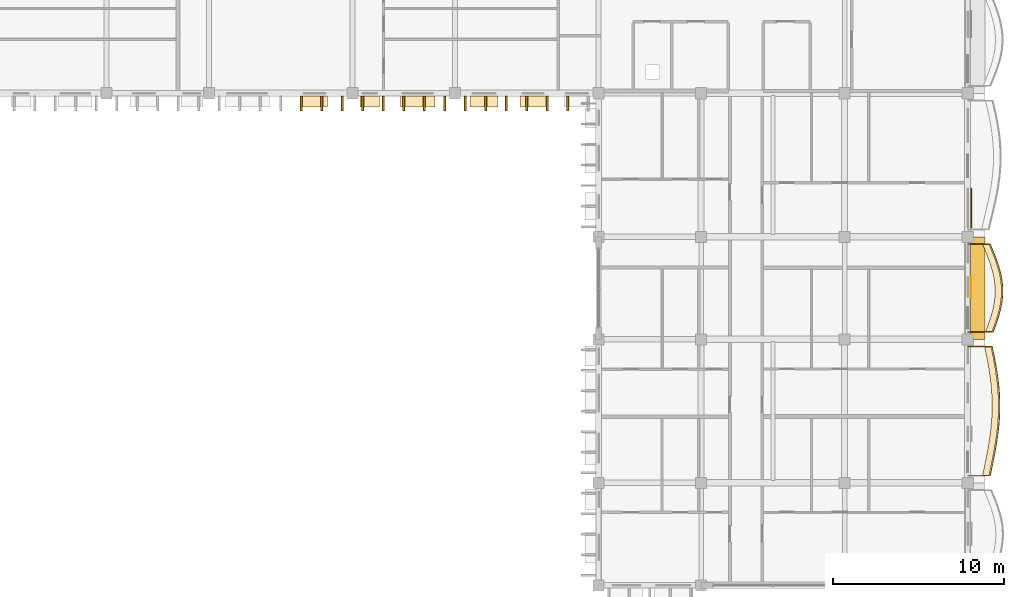
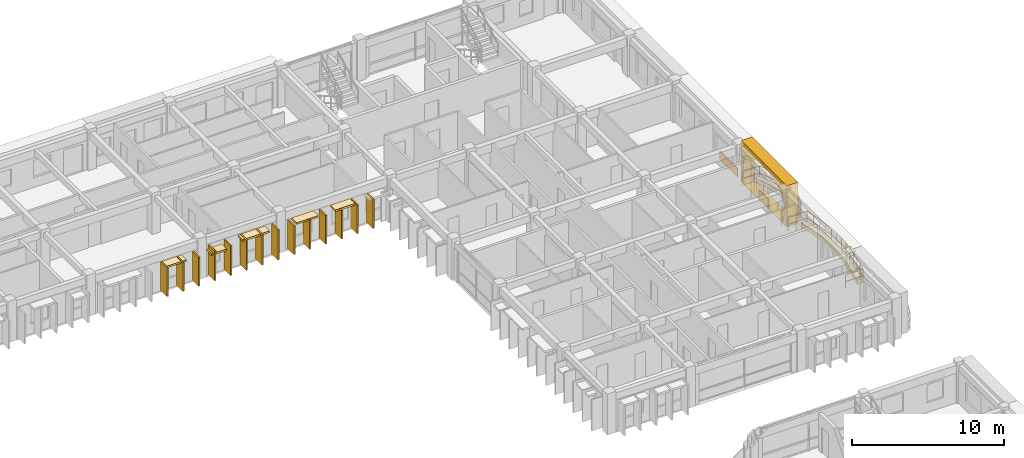
# One storey, part 75 of 79: 24 coverings, 2 railings.
"""IFC4 building model written with IfcOpenShell, lengths in metres."""

from ifc_helpers import new_model, si_unit, direction, frame, origin, origin_2d, place, context, subcontext, project, spatial, polyline, rectangle, outline, extrude, material, layer, layer_set, type_object, element, save


model = new_model("IFC4")

# Units and contexts
model_context = context("Model", 3, precision=1e-05, world=origin(), true_north=direction((0.0, 1.0)))
body_context = subcontext(model_context, "Body", "Model", "MODEL_VIEW")
ifc_project = project(units=[si_unit("LENGTHUNIT", "METRE"), si_unit("AREAUNIT", "SQUARE_METRE"), si_unit("VOLUMEUNIT", "CUBIC_METRE"), si_unit("PLANEANGLEUNIT", "RADIAN"), si_unit("MASSUNIT", "GRAM", prefix="KILO"), si_unit("THERMODYNAMICTEMPERATUREUNIT", "KELVIN")], contexts=[model_context])

# Site, building, storey
site_placement = place(None, origin())
site = spatial("IfcSite", under=ifc_project, at=site_placement, CompositionType="ELEMENT")
building_placement = place(site_placement, origin())
building = spatial("IfcBuilding", under=site, at=building_placement, Name="Thalorik Housing Commons", CompositionType="ELEMENT")
storey_placement = place(building_placement, frame((0.0, 0.0, 11.39990234375)))
storey = spatial("IfcBuildingStorey", under=building, at=storey_placement, Name="L03", CompositionType="ELEMENT", Elevation=11.39990234375)

# Coverings
ifc_material_1 = material(Name="Cobalt blue glazed ceramic facade tile panel", Category="masonry")
ifc_layer_1 = layer(ifc_material_1, 0.06005859375, Name="Cobalt blue glazed ceramic facade tile panel", Category="masonry")
ifc_layer_set_1 = layer_set([ifc_layer_1], Name="Cobalt blue glazed ceramic facade tile panel")
covering_type_1 = type_object("IfcCoveringType", Name="ARC-CLD-BLU-60", PredefinedType="CLADDING", material=ifc_layer_set_1)
covering_1_placement = place(storey_placement, frame((174.195068359375, 102.4765625, 0.05029296875), z_axis=(0.0, 0.0, 1.0), x_axis=(0.0, 1.0, 0.0)))
element("IfcCovering", 1, at=covering_1_placement, inside=storey, type_object=covering_type_1, Name="L03 De Stijl Recessed Window Spandrel 2007", PredefinedType="CLADDING", context=body_context, shape_type="SweptSolid", body=[
    extrude(rectangle(XDim=2.320068359375, YDim=0.06005859375, at=origin_2d()), origin(), (0.0, 0.0, 1.0), 0.699951171875),
])
ifc_material_2 = material(Name="Precast concrete C40/50", Category="concrete")
ifc_layer_2 = layer(ifc_material_2, 0.85009765625, Name="Precast concrete C40/50", Category="concrete")
ifc_layer_set_2 = layer_set([ifc_layer_2], Name="Precast concrete C40/50")
covering_type_2 = type_object("IfcCoveringType", Name="ARC-CLD-CUSH-850", PredefinedType="CLADDING", material=ifc_layer_set_2)
covering_2_placement = place(storey_placement, frame((174.5849609375, 97.800048828125, 0.0), z_axis=(0.0, 0.0, 1.0), x_axis=(0.0, 1.0, 0.0)))
element("IfcCovering", 2, at=covering_2_placement, inside=storey, type_object=covering_type_2, Name="L03 White Precast Curved Cushion Bay Frame 2004", PredefinedType="CLADDING", context=body_context, shape_type="SweptSolid", body=[
    extrude(outline(polyline([(-3.0, 0.0), (3.0, 0.0), (3.0, 3.300048828125), (-3.0, 3.300048828125), (-3.0, 0.0)]), holes=[polyline([(2.580078125, 0.02490234375), (2.668701171875, 0.407470703125), (2.721923828125, 0.7900390625), (2.739501953125, 1.172607421875), (2.721923828125, 1.554931640625), (2.668701171875, 1.9375), (2.580078125, 2.320068359375), (2.16259765625, 2.539306640625), (1.7451171875, 2.711181640625), (1.327392578125, 2.8505859375), (0.909912109375, 2.954345703125), (0.492431640625, 3.018310546875), (0.074951171875, 3.0400390625), (-0.342529296875, 3.018310546875), (-0.760009765625, 2.954345703125), (-1.177490234375, 2.8505859375), (-1.594970703125, 2.711181640625), (-2.012451171875, 2.539306640625), (-2.429931640625, 2.320068359375), (-2.55029296875, 1.9375), (-2.62255859375, 1.554931640625), (-2.646484375, 1.172607421875), (-2.62255859375, 0.7900390625), (-2.55029296875, 0.407470703125), (-2.429931640625, 0.02490234375), (2.580078125, 0.02490234375)])]), frame((0.0, 0.425048828125, 0.0), z_axis=(0.0, -1.0, 0.0), x_axis=(1.0, 0.0, 0.0)), (0.0, 0.0, 1.0), 0.85009765625),
])
ifc_layer_3 = layer(ifc_material_2, 0.85009765625, Name="Precast concrete C40/50", Category="concrete")
ifc_layer_set_3 = layer_set([ifc_layer_3], Name="Precast concrete C40/50")
covering_type_3 = type_object("IfcCoveringType", Name="ARC-CLD-FIN-850", PredefinedType="CLADDING", material=ifc_layer_set_3)
for number, where, z_axis, x_axis, name in (
    (3, (135.0, 108.614990234375, 0.0400390625), (0.0, 0.0, 1.0), (1.0, 0.0, 0.0), "L03 Courtyard Precast Vertical Brise-Soleil Fin 1936"),
    (4, (136.199951171875, 108.614990234375, 0.0400390625), (0.0, 0.0, 1.0), (1.0, 0.0, 0.0), "L03 Courtyard Precast Vertical Brise-Soleil Fin 1937"),
    (5, (137.39990234375, 108.614990234375, 0.0400390625), (0.0, 0.0, 1.0), (1.0, 0.0, 0.0), "L03 Courtyard Precast Vertical Brise-Soleil Fin 1938"),
):
    element("IfcCovering", number, at=place(storey_placement, frame(where, z_axis=z_axis, x_axis=x_axis)), inside=storey, type_object=covering_type_3, Name=name, PredefinedType="CLADDING", context=body_context, shape_type="SweptSolid", body=[
        extrude(rectangle(XDim=0.110107421875, YDim=0.85009765625, at=origin_2d()), origin(), (0.0, 0.0, 1.0), 2.294921875),
    ])
for number, where, z_axis, x_axis, name in (
    (6, (138.60009765625, 108.614990234375, 0.0400390625), (0.0, 0.0, 1.0), (1.0, 0.0, 0.0), "L03 Courtyard Precast Vertical Brise-Soleil Fin 1941"),
    (7, (139.800048828125, 108.614990234375, 0.0400390625), (0.0, 0.0, 1.0), (1.0, 0.0, 0.0), "L03 Courtyard Precast Vertical Brise-Soleil Fin 1942"),
    (8, (141.0, 108.614990234375, 0.0400390625), (0.0, 0.0, 1.0), (1.0, 0.0, 0.0), "L03 Courtyard Precast Vertical Brise-Soleil Fin 1943"),
    (9, (142.199951171875, 108.614990234375, 0.0400390625), (0.0, 0.0, 1.0), (1.0, 0.0, 0.0), "L03 Courtyard Precast Vertical Brise-Soleil Fin 1944"),
    (10, (143.39990234375, 108.614990234375, 0.0400390625), (0.0, 0.0, 1.0), (1.0, 0.0, 0.0), "L03 Courtyard Precast Vertical Brise-Soleil Fin 1945"),
):
    element("IfcCovering", number, at=place(storey_placement, frame(where, z_axis=z_axis, x_axis=x_axis)), inside=storey, type_object=covering_type_3, Name=name, PredefinedType="CLADDING", context=body_context, shape_type="SweptSolid", body=[
        extrude(rectangle(XDim=0.110107421875, YDim=0.85009765625, at=origin_2d()), origin(), (0.0, 0.0, 1.0), 2.39501953125),
    ])
for number, where, z_axis, x_axis, name in (
    (11, (144.60009765625, 108.614990234375, 0.0400390625), (0.0, 0.0, 1.0), (1.0, 0.0, 0.0), "L03 Courtyard Precast Vertical Brise-Soleil Fin 1948"),
    (12, (145.800048828125, 108.614990234375, 0.0400390625), (0.0, 0.0, 1.0), (1.0, 0.0, 0.0), "L03 Courtyard Precast Vertical Brise-Soleil Fin 1949"),
    (13, (147.0, 108.614990234375, 0.0400390625), (0.0, 0.0, 1.0), (1.0, 0.0, 0.0), "L03 Courtyard Precast Vertical Brise-Soleil Fin 1950"),
    (14, (148.199951171875, 108.614990234375, 0.0400390625), (0.0, 0.0, 1.0), (1.0, 0.0, 0.0), "L03 Courtyard Precast Vertical Brise-Soleil Fin 1951"),
    (15, (149.39990234375, 108.614990234375, 0.0400390625), (0.0, 0.0, 1.0), (1.0, 0.0, 0.0), "L03 Courtyard Precast Vertical Brise-Soleil Fin 1952"),
    (16, (150.60009765625, 108.614990234375, 0.0400390625), (0.0, 0.0, 1.0), (1.0, 0.0, 0.0), "L03 Courtyard Precast Vertical Brise-Soleil Fin 1953"),
):
    element("IfcCovering", number, at=place(storey_placement, frame(where, z_axis=z_axis, x_axis=x_axis)), inside=storey, type_object=covering_type_3, Name=name, PredefinedType="CLADDING", context=body_context, shape_type="SweptSolid", body=[
        extrude(rectangle(XDim=0.110107421875, YDim=0.85009765625, at=origin_2d()), origin(), (0.0, 0.0, 1.0), 2.294921875),
    ])
ifc_layer_4 = layer(ifc_material_2, 0.64990234375, Name="Precast concrete C40/50", Category="concrete")
ifc_layer_set_4 = layer_set([ifc_layer_4], Name="Precast concrete C40/50")
covering_type_4 = type_object("IfcCoveringType", Name="ARC-CLD-HOOD-650", PredefinedType="CLADDING", material=ifc_layer_set_4)
covering_3_placement = place(storey_placement, frame((135.77001953125, 108.715087890625, 2.18994140625), z_axis=(0.0, 0.0, 1.0), x_axis=(1.0, 0.0, 0.0)))
element("IfcCovering", 17, at=covering_3_placement, inside=storey, type_object=covering_type_4, Name="L03 Courtyard Precast Window Sun-Hood 1940", PredefinedType="CLADDING", context=body_context, shape_type="SweptSolid", body=[
    extrude(rectangle(XDim=1.5400390625, YDim=0.64990234375, at=origin_2d()), origin(), (0.0, 0.0, 1.0), 0.139892578125),
])
covering_4_placement = place(storey_placement, frame((139.00244140625, 108.715087890625, 1.990234375), z_axis=(0.0, 0.0, 1.0), x_axis=(1.0, 0.0, 0.0)))
element("IfcCovering", 18, at=covering_4_placement, inside=storey, type_object=covering_type_4, Name="L03 Courtyard Precast Window Sun-Hood 1946", PredefinedType="CLADDING", context=body_context, shape_type="SweptSolid", body=[
    extrude(rectangle(XDim=1.139892578125, YDim=0.64990234375, at=origin_2d()), origin(), (0.0, 0.0, 1.0), 0.139892578125),
])
covering_5_placement = place(storey_placement, frame((141.8125, 108.715087890625, 2.2900390625), z_axis=(0.0, 0.0, 1.0), x_axis=(1.0, 0.0, 0.0)))
element("IfcCovering", 19, at=covering_5_placement, inside=storey, type_object=covering_type_4, Name="L03 Courtyard Precast Window Sun-Hood 1947", PredefinedType="CLADDING", context=body_context, shape_type="SweptSolid", body=[
    extrude(rectangle(XDim=2.0400390625, YDim=0.64990234375, at=origin_2d()), origin(), (0.0, 0.0, 1.0), 0.139892578125),
])
covering_6_placement = place(storey_placement, frame((145.68994140625, 108.715087890625, 2.22509765625), z_axis=(0.0, 0.0, 1.0), x_axis=(1.0, 0.0, 0.0)))
element("IfcCovering", 20, at=covering_6_placement, inside=storey, type_object=covering_type_4, Name="L03 Courtyard Precast Window Sun-Hood 1955", PredefinedType="CLADDING", context=body_context, shape_type="SweptSolid", body=[
    extrude(rectangle(XDim=1.639892578125, YDim=0.64990234375, at=origin_2d()), origin(), (0.0, 0.0, 1.0), 0.139892578125),
])
covering_7_placement = place(storey_placement, frame((148.550048828125, 108.715087890625, 2.22509765625), z_axis=(0.0, 0.0, 1.0), x_axis=(1.0, 0.0, 0.0)))
element("IfcCovering", 21, at=covering_7_placement, inside=storey, type_object=covering_type_4, Name="L03 Courtyard Precast Window Sun-Hood 1956", PredefinedType="CLADDING", context=body_context, shape_type="SweptSolid", body=[
    extrude(rectangle(XDim=1.489990234375, YDim=0.64990234375, at=origin_2d()), origin(), (0.0, 0.0, 1.0), 0.139892578125),
])
ifc_material_3 = material(Name="Terracotta red mineral fibre-cement panel", Category="masonry")
ifc_layer_5 = layer(ifc_material_3, 0.054931640625, Name="Terracotta red mineral fibre-cement panel", Category="masonry")
ifc_layer_set_5 = layer_set([ifc_layer_5], Name="Terracotta red mineral fibre-cement panel")
covering_type_5 = type_object("IfcCoveringType", Name="ARC-CLD-RED-55", PredefinedType="CLADDING", material=ifc_layer_set_5)
covering_8_placement = place(storey_placement, frame((174.1923828125, 97.860107421875, 0.05029296875), z_axis=(0.0, 0.0, 1.0), x_axis=(0.0, 1.0, 0.0)))
element("IfcCovering", 22, at=covering_8_placement, inside=storey, type_object=covering_type_5, Name="L03 De Stijl Recessed Window Spandrel 2005", PredefinedType="CLADDING", context=body_context, shape_type="SweptSolid", body=[
    extrude(rectangle(XDim=1.199951171875, YDim=0.054931640625, at=origin_2d()), origin(), (0.0, 0.0, 1.0), 0.699951171875),
])
ifc_material_4 = material(Name="Planted vegetated substrate and terracotta trough", Category="masonry")
ifc_layer_6 = layer(ifc_material_4, 0.340087890625, Name="Planted vegetated substrate and terracotta trough", Category="masonry")
ifc_layer_set_6 = layer_set([ifc_layer_6], Name="Planted vegetated substrate and terracotta trough")
covering_type_6 = type_object("IfcCoveringType", Name="ARC-COV-PLANTER", PredefinedType="USERDEFINED", material=ifc_layer_set_6)
covering_9_placement = place(storey_placement, origin())
element("IfcCovering", 23, at=covering_9_placement, inside=storey, type_object=covering_type_6, Name="L03 Balcony Slab-Edge Planted Trough 5448", ObjectType="PLANTER", PredefinedType="USERDEFINED", context=body_context, shape_type="SweptSolid", body=[
    extrude(outline(polyline([(175.247802734375, 86.820068359375), (175.37890625, 87.449951171875), (175.505126953125, 88.080078125), (175.6181640625, 88.7099609375), (175.7099609375, 89.340087890625), (175.77490234375, 89.969970703125), (175.807861328125, 90.60009765625), (175.80712890625, 91.22998046875), (175.772216796875, 91.860107421875), (175.70556640625, 92.489990234375), (175.611083984375, 93.1201171875), (175.49560546875, 93.75), (175.366455078125, 94.3798828125), (174.986328125, 94.3798828125), (175.115478515625, 93.75), (175.231201171875, 93.1201171875), (175.325439453125, 92.489990234375), (175.39208984375, 91.860107421875), (175.427001953125, 91.22998046875), (175.427978515625, 90.60009765625), (175.394775390625, 89.969970703125), (175.330078125, 89.340087890625), (175.238037109375, 88.7099609375), (175.125244140625, 88.080078125), (174.998779296875, 87.449951171875), (174.867919921875, 86.820068359375), (175.247802734375, 86.820068359375)])), origin(), (0.0, 0.0, 1.0), 0.340087890625),
])
covering_10_placement = place(storey_placement, origin())
element("IfcCovering", 24, at=covering_10_placement, inside=storey, type_object=covering_type_6, Name="L03 Balcony Slab-Edge Planted Trough 5449", ObjectType="PLANTER", PredefinedType="USERDEFINED", context=body_context, shape_type="SweptSolid", body=[
    extrude(outline(polyline([(175.415283203125, 95.219970703125), (175.576416015625, 95.64990234375), (175.722412109375, 96.080078125), (175.843505859375, 96.510009765625), (175.930908203125, 96.93994140625), (175.97900390625, 97.3701171875), (175.9833984375, 97.800048828125), (175.943603515625, 98.22998046875), (175.86181640625, 98.659912109375), (175.74267578125, 99.090087890625), (175.593505859375, 99.52001953125), (175.424072265625, 99.949951171875), (175.2451171875, 100.3798828125), (174.864990234375, 100.3798828125), (175.044189453125, 99.949951171875), (175.213623046875, 99.52001953125), (175.362548828125, 99.090087890625), (175.481689453125, 98.659912109375), (175.563720703125, 98.22998046875), (175.603515625, 97.800048828125), (175.598876953125, 97.3701171875), (175.551025390625, 96.93994140625), (175.46337890625, 96.510009765625), (175.34228515625, 96.080078125), (175.1962890625, 95.64990234375), (175.035400390625, 95.219970703125), (175.415283203125, 95.219970703125)])), origin(), (0.0, 0.0, 1.0), 0.340087890625),
])

# Railings
ifc_material_5 = material(Name="Steel S355", Category="steel")
railing_type_1 = type_object("IfcRailingType", Name="ARC-RL-BAL-112", PredefinedType="BALUSTRADE", material=ifc_material_5)
railing_1_placement = place(storey_placement, frame((174.0, 86.820068359375, 0.0)))
element("IfcRailing", 25, at=railing_1_placement, inside=storey, type_object=railing_type_1, Name="L03 Cushion Balcony Guardrail 132", PredefinedType="BALUSTRADE", context=body_context, shape_type="SweptSolid", body=[
    extrude(rectangle(XDim=0.050048828125, YDim=0.050048828125, at=origin_2d()), frame((0.0, 0.0, 1.09521484375), z_axis=(1.0, 0.0, 0.0), x_axis=(0.0, 1.0, 0.0)), (0.0, 0.0, 1.0), 1.31787109375),
    extrude(rectangle(XDim=0.050048828125, YDim=0.050048828125, at=origin_2d()), frame((0.0, 0.0, 0.53515625), z_axis=(1.0, 0.0, 0.0), x_axis=(0.0, 1.0, 0.0)), (0.0, 0.0, 1.0), 1.31787109375),
    extrude(rectangle(XDim=0.050048828125, YDim=0.050048828125, at=origin_2d()), frame((1.31787109375, 0.0, 1.09521484375), z_axis=(0.203772410723, 0.979018286156, 0.0), x_axis=(-0.979018286156, 0.203772410723, 0.0)), (0.0, 0.0, 1.0), 0.643310546875),
    extrude(rectangle(XDim=0.050048828125, YDim=0.050048828125, at=origin_2d()), frame((1.31787109375, 0.0, 0.53515625), z_axis=(0.203772410723, 0.979018286156, 0.0), x_axis=(-0.979018286156, 0.203772410723, 0.0)), (0.0, 0.0, 1.0), 0.643310546875),
    extrude(rectangle(XDim=0.050048828125, YDim=0.050048828125, at=origin_2d()), frame((1.448974609375, 0.6298828125, 1.09521484375), z_axis=(0.196408357284, 0.980522185975, 0.0), x_axis=(-0.980522185975, 0.196408357284, 0.0)), (0.0, 0.0, 1.0), 0.642578125),
    extrude(rectangle(XDim=0.050048828125, YDim=0.050048828125, at=origin_2d()), frame((1.448974609375, 0.6298828125, 0.53515625), z_axis=(0.196408357284, 0.980522185975, 0.0), x_axis=(-0.980522185975, 0.196408357284, 0.0)), (0.0, 0.0, 1.0), 0.642578125),
    extrude(rectangle(XDim=0.050048828125, YDim=0.050048828125, at=origin_2d()), frame((1.5751953125, 1.260009765625, 1.09521484375), z_axis=(0.176265995433, 0.9843425719, 0.0), x_axis=(-0.9843425719, 0.176265995433, 0.0)), (0.0, 0.0, 1.0), 0.639892578125),
    extrude(rectangle(XDim=0.050048828125, YDim=0.050048828125, at=origin_2d()), frame((1.5751953125, 1.260009765625, 0.53515625), z_axis=(0.176265995433, 0.9843425719, 0.0), x_axis=(-0.9843425719, 0.176265995433, 0.0)), (0.0, 0.0, 1.0), 0.639892578125),
    extrude(rectangle(XDim=0.050048828125, YDim=0.050048828125, at=origin_2d()), frame((1.68798828125, 1.889892578125, 1.09521484375), z_axis=(0.144533690325, 0.98949987992, 0.0), x_axis=(-0.98949987992, 0.144533690325, 0.0)), (0.0, 0.0, 1.0), 0.63671875),
    extrude(rectangle(XDim=0.050048828125, YDim=0.050048828125, at=origin_2d()), frame((1.68798828125, 1.889892578125, 0.53515625), z_axis=(0.144533690325, 0.98949987992, 0.0), x_axis=(-0.98949987992, 0.144533690325, 0.0)), (0.0, 0.0, 1.0), 0.63671875),
    extrude(rectangle(XDim=0.050048828125, YDim=0.050048828125, at=origin_2d()), frame((1.780029296875, 2.52001953125, 1.09521484375), z_axis=(0.102175616173, 0.994766376321, 0.0), x_axis=(-0.994766376321, 0.102175616173, 0.0)), (0.0, 0.0, 1.0), 0.63330078125),
    extrude(rectangle(XDim=0.050048828125, YDim=0.050048828125, at=origin_2d()), frame((1.780029296875, 2.52001953125, 0.53515625), z_axis=(0.102175616173, 0.994766376321, 0.0), x_axis=(-0.994766376321, 0.102175616173, 0.0)), (0.0, 0.0, 1.0), 0.63330078125),
    extrude(rectangle(XDim=0.050048828125, YDim=0.050048828125, at=origin_2d()), frame((1.8447265625, 3.14990234375, 1.09521484375), z_axis=(0.052619755312, 0.998614621038, 0.0), x_axis=(-0.998614621038, 0.052619755312, 0.0)), (0.0, 0.0, 1.0), 0.631103515625),
    extrude(rectangle(XDim=0.050048828125, YDim=0.050048828125, at=origin_2d()), frame((1.8447265625, 3.14990234375, 0.53515625), z_axis=(0.052619755312, 0.998614621038, 0.0), x_axis=(-0.998614621038, 0.052619755312, 0.0)), (0.0, 0.0, 1.0), 0.631103515625),
    extrude(rectangle(XDim=0.050048828125, YDim=0.050048828125, at=origin_2d()), frame((1.8779296875, 3.780029296875, 1.09521484375), z_axis=(-0.001162789912, 0.99999932396, 0.0), x_axis=(-0.99999932396, -0.001162789912, 0.0)), (0.0, 0.0, 1.0), 0.6298828125),
    extrude(rectangle(XDim=0.050048828125, YDim=0.050048828125, at=origin_2d()), frame((1.8779296875, 3.780029296875, 0.53515625), z_axis=(-0.001162789912, 0.99999932396, 0.0), x_axis=(-0.99999932396, -0.001162789912, 0.0)), (0.0, 0.0, 1.0), 0.6298828125),
    extrude(rectangle(XDim=0.050048828125, YDim=0.050048828125, at=origin_2d()), frame((1.877197265625, 4.409912109375, 1.09521484375), z_axis=(-0.055320038902, 0.998468674169, 0.0), x_axis=(-0.998468674169, -0.055320038902, 0.0)), (0.0, 0.0, 1.0), 0.631103515625),
    extrude(rectangle(XDim=0.050048828125, YDim=0.050048828125, at=origin_2d()), frame((1.877197265625, 4.409912109375, 0.53515625), z_axis=(-0.055320038902, 0.998468674169, 0.0), x_axis=(-0.998468674169, -0.055320038902, 0.0)), (0.0, 0.0, 1.0), 0.631103515625),
    extrude(rectangle(XDim=0.050048828125, YDim=0.050048828125, at=origin_2d()), frame((1.84228515625, 5.0400390625, 1.09521484375), z_axis=(-0.10560765808, 0.994407875348, 0.0), x_axis=(-0.994407875348, -0.10560765808, 0.0)), (0.0, 0.0, 1.0), 0.633544921875),
    extrude(rectangle(XDim=0.050048828125, YDim=0.050048828125, at=origin_2d()), frame((1.84228515625, 5.0400390625, 0.53515625), z_axis=(-0.10560765808, 0.994407875348, 0.0), x_axis=(-0.994407875348, -0.10560765808, 0.0)), (0.0, 0.0, 1.0), 0.633544921875),
    extrude(rectangle(XDim=0.050048828125, YDim=0.050048828125, at=origin_2d()), frame((1.775390625, 5.669921875, 1.09521484375), z_axis=(-0.147909472647, 0.989000903893, 0.0), x_axis=(-0.989000903893, -0.147909472647, 0.0)), (0.0, 0.0, 1.0), 0.63720703125),
    extrude(rectangle(XDim=0.050048828125, YDim=0.050048828125, at=origin_2d()), frame((1.775390625, 5.669921875, 0.53515625), z_axis=(-0.147909472647, 0.989000903893, 0.0), x_axis=(-0.989000903893, -0.147909472647, 0.0)), (0.0, 0.0, 1.0), 0.63720703125),
    extrude(rectangle(XDim=0.050048828125, YDim=0.050048828125, at=origin_2d()), frame((1.68115234375, 6.300048828125, 1.09521484375), z_axis=(-0.180327868852, 0.983606557377, 0.0), x_axis=(-0.983606557377, -0.180327868852, 0.0)), (0.0, 0.0, 1.0), 0.640380859375),
    extrude(rectangle(XDim=0.050048828125, YDim=0.050048828125, at=origin_2d()), frame((1.68115234375, 6.300048828125, 0.53515625), z_axis=(-0.180327868852, 0.983606557377, 0.0), x_axis=(-0.983606557377, -0.180327868852, 0.0)), (0.0, 0.0, 1.0), 0.640380859375),
    extrude(rectangle(XDim=0.050048828125, YDim=0.050048828125, at=origin_2d()), frame((1.565673828125, 6.929931640625, 1.09521484375), z_axis=(-0.201224395652, 0.979545171288, 0.0), x_axis=(-0.979545171288, -0.201224395652, 0.0)), (0.0, 0.0, 1.0), 0.64306640625),
    extrude(rectangle(XDim=0.050048828125, YDim=0.050048828125, at=origin_2d()), frame((1.565673828125, 6.929931640625, 0.53515625), z_axis=(-0.201224395652, 0.979545171288, 0.0), x_axis=(-0.979545171288, -0.201224395652, 0.0)), (0.0, 0.0, 1.0), 0.64306640625),
    extrude(rectangle(XDim=0.050048828125, YDim=0.050048828125, at=origin_2d()), frame((1.436279296875, 7.559814453125, 1.09521484375), z_axis=(-1.0, 0.0, 0.0), x_axis=(0.0, -1.0, 0.0)), (0.0, 0.0, 1.0), 1.436279296875),
    extrude(rectangle(XDim=0.050048828125, YDim=0.050048828125, at=origin_2d()), frame((1.436279296875, 7.559814453125, 0.53515625), z_axis=(-1.0, 0.0, 0.0), x_axis=(0.0, -1.0, 0.0)), (0.0, 0.0, 1.0), 1.436279296875),
    extrude(rectangle(XDim=0.0419921875, YDim=0.0419921875, at=origin_2d()), origin(), (0.0, 0.0, 1.0), 1.070068359375),
    extrude(rectangle(XDim=0.0419921875, YDim=0.0419921875, at=origin_2d()), frame((1.31787109375, 0.0, 0.0)), (0.0, 0.0, 1.0), 1.070068359375),
    extrude(rectangle(XDim=0.0419921875, YDim=0.0419921875, at=origin_2d()), frame((1.448974609375, 0.6298828125, 0.0)), (0.0, 0.0, 1.0), 1.070068359375),
    extrude(rectangle(XDim=0.0419921875, YDim=0.0419921875, at=origin_2d()), frame((1.5751953125, 1.260009765625, 0.0)), (0.0, 0.0, 1.0), 1.070068359375),
    extrude(rectangle(XDim=0.0419921875, YDim=0.0419921875, at=origin_2d()), frame((1.68798828125, 1.889892578125, 0.0)), (0.0, 0.0, 1.0), 1.070068359375),
    extrude(rectangle(XDim=0.0419921875, YDim=0.0419921875, at=origin_2d()), frame((1.780029296875, 2.52001953125, 0.0)), (0.0, 0.0, 1.0), 1.070068359375),
    extrude(rectangle(XDim=0.0419921875, YDim=0.0419921875, at=origin_2d()), frame((1.8447265625, 3.14990234375, 0.0)), (0.0, 0.0, 1.0), 1.070068359375),
    extrude(rectangle(XDim=0.0419921875, YDim=0.0419921875, at=origin_2d()), frame((1.8779296875, 3.780029296875, 0.0)), (0.0, 0.0, 1.0), 1.070068359375),
    extrude(rectangle(XDim=0.0419921875, YDim=0.0419921875, at=origin_2d()), frame((1.877197265625, 4.409912109375, 0.0)), (0.0, 0.0, 1.0), 1.070068359375),
    extrude(rectangle(XDim=0.0419921875, YDim=0.0419921875, at=origin_2d()), frame((1.84228515625, 5.0400390625, 0.0)), (0.0, 0.0, 1.0), 1.070068359375),
    extrude(rectangle(XDim=0.0419921875, YDim=0.0419921875, at=origin_2d()), frame((1.775390625, 5.669921875, 0.0)), (0.0, 0.0, 1.0), 1.070068359375),
    extrude(rectangle(XDim=0.0419921875, YDim=0.0419921875, at=origin_2d()), frame((1.68115234375, 6.300048828125, 0.0)), (0.0, 0.0, 1.0), 1.070068359375),
    extrude(rectangle(XDim=0.0419921875, YDim=0.0419921875, at=origin_2d()), frame((1.565673828125, 6.929931640625, 0.0)), (0.0, 0.0, 1.0), 1.070068359375),
    extrude(rectangle(XDim=0.0419921875, YDim=0.0419921875, at=origin_2d()), frame((1.436279296875, 7.559814453125, 0.0)), (0.0, 0.0, 1.0), 1.070068359375),
    extrude(rectangle(XDim=0.0419921875, YDim=0.0419921875, at=origin_2d()), frame((0.0, 7.559814453125, 0.0)), (0.0, 0.0, 1.0), 1.070068359375),
])
railing_type_2 = type_object("IfcRailingType", Name="ARC-RL-BAL-115", PredefinedType="BALUSTRADE", material=ifc_material_5)
railing_2_placement = place(storey_placement, frame((174.0, 95.219970703125, 0.0)))
element("IfcRailing", 26, at=railing_2_placement, inside=storey, type_object=railing_type_2, Name="L03 Cushion Balcony Guardrail 133", PredefinedType="BALUSTRADE", context=body_context, shape_type="SweptSolid", body=[
    extrude(rectangle(XDim=0.050048828125, YDim=0.050048828125, at=origin_2d()), frame((0.0, 0.0, 1.125), z_axis=(1.0, 0.0, 0.0), x_axis=(0.0, 1.0, 0.0)), (0.0, 0.0, 1.0), 1.4853515625),
    extrude(rectangle(XDim=0.050048828125, YDim=0.050048828125, at=origin_2d()), frame((0.0, 0.0, 0.5498046875), z_axis=(1.0, 0.0, 0.0), x_axis=(0.0, 1.0, 0.0)), (0.0, 0.0, 1.0), 1.4853515625),
    extrude(rectangle(XDim=0.050048828125, YDim=0.050048828125, at=origin_2d()), frame((1.4853515625, 0.0, 1.125), z_axis=(0.35094861673, 0.936394718276, 0.0), x_axis=(-0.936394718276, 0.35094861673, 0.0)), (0.0, 0.0, 1.0), 0.459228515625),
    extrude(rectangle(XDim=0.050048828125, YDim=0.050048828125, at=origin_2d()), frame((1.4853515625, 0.0, 0.5498046875), z_axis=(0.35094861673, 0.936394718276, 0.0), x_axis=(-0.936394718276, 0.35094861673, 0.0)), (0.0, 0.0, 1.0), 0.459228515625),
    extrude(rectangle(XDim=0.050048828125, YDim=0.050048828125, at=origin_2d()), frame((1.646484375, 0.429931640625, 1.125), z_axis=(0.321382405794, 0.946949496671, 0.0), x_axis=(-0.946949496671, 0.321382405794, 0.0)), (0.0, 0.0, 1.0), 0.454345703125),
    extrude(rectangle(XDim=0.050048828125, YDim=0.050048828125, at=origin_2d()), frame((1.646484375, 0.429931640625, 0.5498046875), z_axis=(0.321382405794, 0.946949496671, 0.0), x_axis=(-0.946949496671, 0.321382405794, 0.0)), (0.0, 0.0, 1.0), 0.454345703125),
    extrude(rectangle(XDim=0.050048828125, YDim=0.050048828125, at=origin_2d()), frame((1.79248046875, 0.860107421875, 1.125), z_axis=(0.270603092686, 0.962691002466, 0.0), x_axis=(-0.962691002466, 0.270603092686, 0.0)), (0.0, 0.0, 1.0), 0.446533203125),
    extrude(rectangle(XDim=0.050048828125, YDim=0.050048828125, at=origin_2d()), frame((1.79248046875, 0.860107421875, 0.5498046875), z_axis=(0.270603092686, 0.962691002466, 0.0), x_axis=(-0.962691002466, 0.270603092686, 0.0)), (0.0, 0.0, 1.0), 0.446533203125),
    extrude(rectangle(XDim=0.050048828125, YDim=0.050048828125, at=origin_2d()), frame((1.913330078125, 1.2900390625, 1.125), z_axis=(0.19975288154, 0.979846307498, 0.0), x_axis=(-0.979846307498, 0.19975288154, 0.0)), (0.0, 0.0, 1.0), 0.438720703125),
    extrude(rectangle(XDim=0.050048828125, YDim=0.050048828125, at=origin_2d()), frame((1.913330078125, 1.2900390625, 0.5498046875), z_axis=(0.19975288154, 0.979846307498, 0.0), x_axis=(-0.979846307498, 0.19975288154, 0.0)), (0.0, 0.0, 1.0), 0.438720703125),
    extrude(rectangle(XDim=0.050048828125, YDim=0.050048828125, at=origin_2d()), frame((2.0009765625, 1.719970703125, 1.125), z_axis=(0.110555342799, 0.993869969452, 0.0), x_axis=(-0.993869969452, 0.110555342799, 0.0)), (0.0, 0.0, 1.0), 0.432861328125),
    extrude(rectangle(XDim=0.050048828125, YDim=0.050048828125, at=origin_2d()), frame((2.0009765625, 1.719970703125, 0.5498046875), z_axis=(0.110555342799, 0.993869969452, 0.0), x_axis=(-0.993869969452, 0.110555342799, 0.0)), (0.0, 0.0, 1.0), 0.432861328125),
    extrude(rectangle(XDim=0.050048828125, YDim=0.050048828125, at=origin_2d()), frame((2.048828125, 2.150146484375, 1.125), z_axis=(0.010788696312, 0.999941800322, 0.0), x_axis=(-0.999941800322, 0.010788696312, 0.0)), (0.0, 0.0, 1.0), 0.429931640625),
    extrude(rectangle(XDim=0.050048828125, YDim=0.050048828125, at=origin_2d()), frame((2.048828125, 2.150146484375, 0.5498046875), z_axis=(0.010788696312, 0.999941800322, 0.0), x_axis=(-0.999941800322, 0.010788696312, 0.0)), (0.0, 0.0, 1.0), 0.429931640625),
    extrude(rectangle(XDim=0.050048828125, YDim=0.050048828125, at=origin_2d()), frame((2.053466796875, 2.580078125, 1.125), z_axis=(-0.092167064095, 0.995743557497, 0.0), x_axis=(-0.995743557497, -0.092167064095, 0.0)), (0.0, 0.0, 1.0), 0.431884765625),
    extrude(rectangle(XDim=0.050048828125, YDim=0.050048828125, at=origin_2d()), frame((2.053466796875, 2.580078125, 0.5498046875), z_axis=(-0.092167064095, 0.995743557497, 0.0), x_axis=(-0.995743557497, -0.092167064095, 0.0)), (0.0, 0.0, 1.0), 0.431884765625),
    extrude(rectangle(XDim=0.050048828125, YDim=0.050048828125, at=origin_2d()), frame((2.013671875, 3.010009765625, 1.125), z_axis=(-0.186881392496, 0.982382484137, 0.0), x_axis=(-0.982382484137, -0.186881392496, 0.0)), (0.0, 0.0, 1.0), 0.437744140625),
    extrude(rectangle(XDim=0.050048828125, YDim=0.050048828125, at=origin_2d()), frame((2.013671875, 3.010009765625, 0.5498046875), z_axis=(-0.186881392496, 0.982382484137, 0.0), x_axis=(-0.982382484137, -0.186881392496, 0.0)), (0.0, 0.0, 1.0), 0.437744140625),
    extrude(rectangle(XDim=0.050048828125, YDim=0.050048828125, at=origin_2d()), frame((1.931884765625, 3.43994140625, 1.125), z_axis=(-0.267418214836, 0.963580561434, 0.0), x_axis=(-0.963580561434, -0.267418214836, 0.0)), (0.0, 0.0, 1.0), 0.446533203125),
    extrude(rectangle(XDim=0.050048828125, YDim=0.050048828125, at=origin_2d()), frame((1.931884765625, 3.43994140625, 0.5498046875), z_axis=(-0.267418214836, 0.963580561434, 0.0), x_axis=(-0.963580561434, -0.267418214836, 0.0)), (0.0, 0.0, 1.0), 0.446533203125),
    extrude(rectangle(XDim=0.050048828125, YDim=0.050048828125, at=origin_2d()), frame((1.8125, 3.8701171875, 1.125), z_axis=(-0.327313279786, 0.944915878201, 0.0), x_axis=(-0.944915878201, -0.327313279786, 0.0)), (0.0, 0.0, 1.0), 0.455078125),
    extrude(rectangle(XDim=0.050048828125, YDim=0.050048828125, at=origin_2d()), frame((1.8125, 3.8701171875, 0.5498046875), z_axis=(-0.327313279786, 0.944915878201, 0.0), x_axis=(-0.944915878201, -0.327313279786, 0.0)), (0.0, 0.0, 1.0), 0.455078125),
    extrude(rectangle(XDim=0.050048828125, YDim=0.050048828125, at=origin_2d()), frame((1.66357421875, 4.300048828125, 1.125), z_axis=(-0.366649244, 0.930359248825, 0.0), x_axis=(-0.930359248825, -0.366649244, 0.0)), (0.0, 0.0, 1.0), 0.462158203125),
    extrude(rectangle(XDim=0.050048828125, YDim=0.050048828125, at=origin_2d()), frame((1.66357421875, 4.300048828125, 0.5498046875), z_axis=(-0.366649244, 0.930359248825, 0.0), x_axis=(-0.930359248825, -0.366649244, 0.0)), (0.0, 0.0, 1.0), 0.462158203125),
    extrude(rectangle(XDim=0.050048828125, YDim=0.050048828125, at=origin_2d()), frame((1.494140625, 4.72998046875, 1.125), z_axis=(-0.384727035328, 0.923030394022, 0.0), x_axis=(-0.923030394022, -0.384727035328, 0.0)), (0.0, 0.0, 1.0), 0.4658203125),
    extrude(rectangle(XDim=0.050048828125, YDim=0.050048828125, at=origin_2d()), frame((1.494140625, 4.72998046875, 0.5498046875), z_axis=(-0.384727035328, 0.923030394022, 0.0), x_axis=(-0.923030394022, -0.384727035328, 0.0)), (0.0, 0.0, 1.0), 0.4658203125),
    extrude(rectangle(XDim=0.050048828125, YDim=0.050048828125, at=origin_2d()), frame((1.31494140625, 5.159912109375, 1.125), z_axis=(-1.0, 0.0, 0.0), x_axis=(0.0, -1.0, 0.0)), (0.0, 0.0, 1.0), 1.31494140625),
    extrude(rectangle(XDim=0.050048828125, YDim=0.050048828125, at=origin_2d()), frame((1.31494140625, 5.159912109375, 0.5498046875), z_axis=(-1.0, 0.0, 0.0), x_axis=(0.0, -1.0, 0.0)), (0.0, 0.0, 1.0), 1.31494140625),
    extrude(rectangle(XDim=0.0419921875, YDim=0.0419921875, at=origin_2d()), origin(), (0.0, 0.0, 1.0), 1.099853515625),
    extrude(rectangle(XDim=0.0419921875, YDim=0.0419921875, at=origin_2d()), frame((1.4853515625, 0.0, 0.0)), (0.0, 0.0, 1.0), 1.099853515625),
    extrude(rectangle(XDim=0.0419921875, YDim=0.0419921875, at=origin_2d()), frame((1.646484375, 0.429931640625, 0.0)), (0.0, 0.0, 1.0), 1.099853515625),
    extrude(rectangle(XDim=0.0419921875, YDim=0.0419921875, at=origin_2d()), frame((1.79248046875, 0.860107421875, 0.0)), (0.0, 0.0, 1.0), 1.099853515625),
    extrude(rectangle(XDim=0.0419921875, YDim=0.0419921875, at=origin_2d()), frame((1.913330078125, 1.2900390625, 0.0)), (0.0, 0.0, 1.0), 1.099853515625),
    extrude(rectangle(XDim=0.0419921875, YDim=0.0419921875, at=origin_2d()), frame((2.0009765625, 1.719970703125, 0.0)), (0.0, 0.0, 1.0), 1.099853515625),
    extrude(rectangle(XDim=0.0419921875, YDim=0.0419921875, at=origin_2d()), frame((2.048828125, 2.150146484375, 0.0)), (0.0, 0.0, 1.0), 1.099853515625),
    extrude(rectangle(XDim=0.0419921875, YDim=0.0419921875, at=origin_2d()), frame((2.053466796875, 2.580078125, 0.0)), (0.0, 0.0, 1.0), 1.099853515625),
    extrude(rectangle(XDim=0.0419921875, YDim=0.0419921875, at=origin_2d()), frame((2.013671875, 3.010009765625, 0.0)), (0.0, 0.0, 1.0), 1.099853515625),
    extrude(rectangle(XDim=0.0419921875, YDim=0.0419921875, at=origin_2d()), frame((1.931884765625, 3.43994140625, 0.0)), (0.0, 0.0, 1.0), 1.099853515625),
    extrude(rectangle(XDim=0.0419921875, YDim=0.0419921875, at=origin_2d()), frame((1.8125, 3.8701171875, 0.0)), (0.0, 0.0, 1.0), 1.099853515625),
    extrude(rectangle(XDim=0.0419921875, YDim=0.0419921875, at=origin_2d()), frame((1.66357421875, 4.300048828125, 0.0)), (0.0, 0.0, 1.0), 1.099853515625),
    extrude(rectangle(XDim=0.0419921875, YDim=0.0419921875, at=origin_2d()), frame((1.494140625, 4.72998046875, 0.0)), (0.0, 0.0, 1.0), 1.099853515625),
    extrude(rectangle(XDim=0.0419921875, YDim=0.0419921875, at=origin_2d()), frame((1.31494140625, 5.159912109375, 0.0)), (0.0, 0.0, 1.0), 1.099853515625),
    extrude(rectangle(XDim=0.0419921875, YDim=0.0419921875, at=origin_2d()), frame((0.0, 5.159912109375, 0.0)), (0.0, 0.0, 1.0), 1.099853515625),
])

save(model, "model.ifc")
